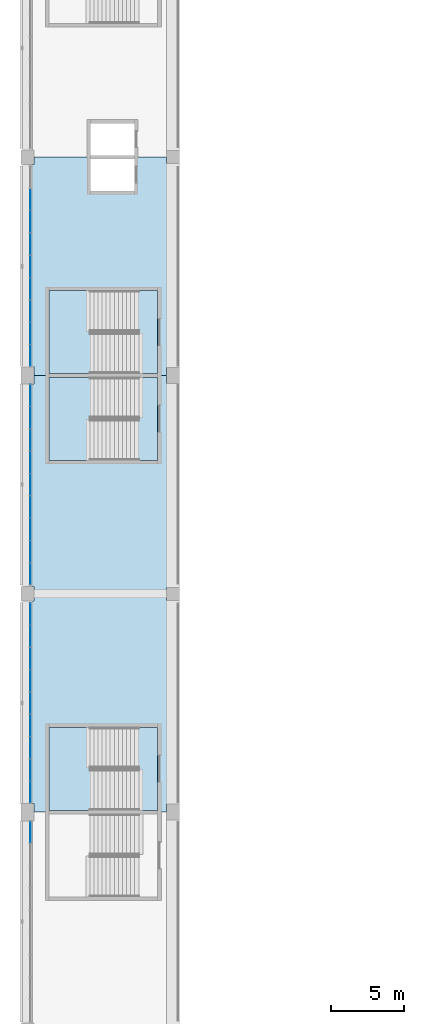
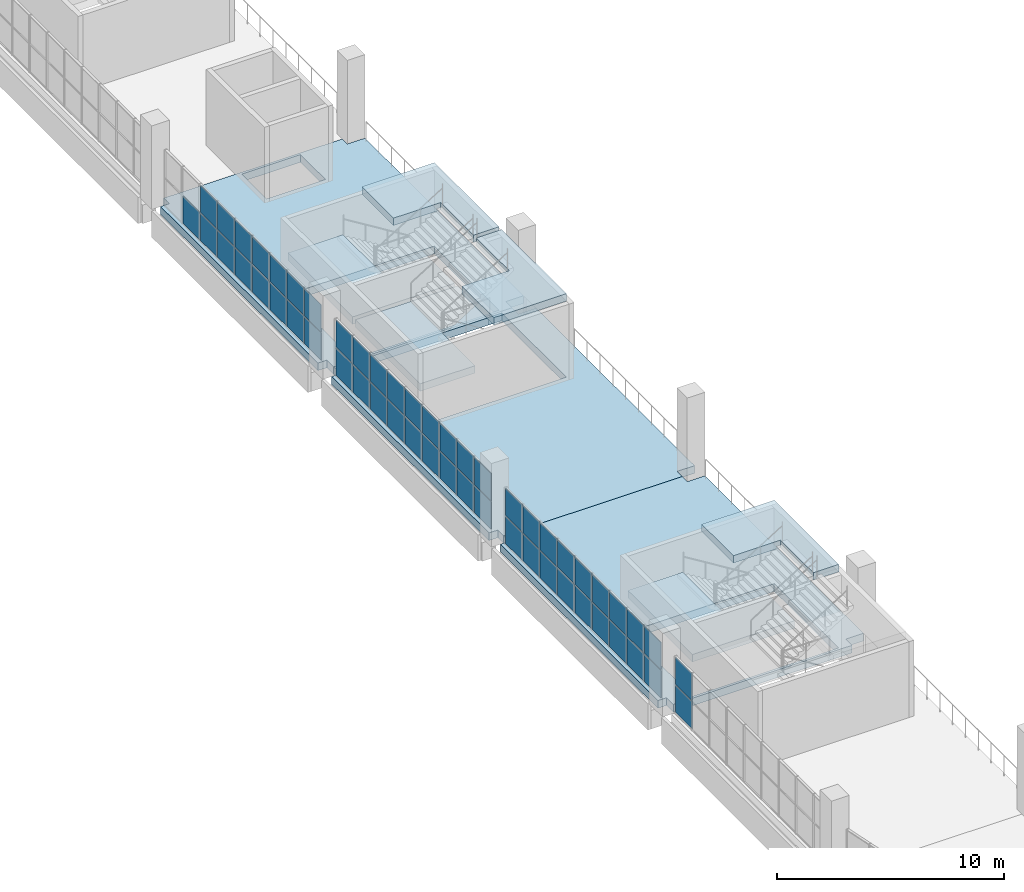
# One storey, part 47 of 177: 53 plates, 9 slabs, 7 elements without a shape of their own.
"""IFC4 building model written with IfcOpenShell, lengths in metres."""

from ifc_helpers import new_model, si_unit, direction, frame, origin, origin_2d, place, context, subcontext, project, spatial, polyline, rectangle, outline, extrude, material, layer, layer_set, type_object, element, aggregate, save


model = new_model("IFC4")

# Units and contexts
model_context = context("Model", 3, precision=1e-05, world=origin(), true_north=direction((0.0, 1.0)))
body_context = subcontext(model_context, "Body", "Model", "MODEL_VIEW")
ifc_project = project(units=[si_unit("LENGTHUNIT", "METRE"), si_unit("AREAUNIT", "SQUARE_METRE"), si_unit("VOLUMEUNIT", "CUBIC_METRE"), si_unit("PLANEANGLEUNIT", "RADIAN"), si_unit("MASSUNIT", "GRAM", prefix="KILO")], contexts=[model_context])

# Site, building, storey
site_placement = place(None, origin())
site = spatial("IfcSite", under=ifc_project, at=site_placement, CompositionType="ELEMENT")
building_placement = place(site_placement, origin())
building = spatial("IfcBuilding", under=site, at=building_placement, Name="Ogive Plaza Stadium", CompositionType="ELEMENT")
storey_placement = place(building_placement, frame((0.0, 0.0, 18.0)))
storey = spatial("IfcBuildingStorey", under=building, at=storey_placement, Name="L04", CompositionType="ELEMENT", Elevation=18.0)

# Curtain wall, plates
ifc_material_1 = material(Name="Bronze-anodised aluminium with laminated glass", Category="aluminium")
curtain_wall_type = type_object("IfcCurtainWallType", Name="Lancet curtain wall", PredefinedType="NOTDEFINED", material=ifc_material_1)
curtain_wall_1_placement = place(storey_placement, origin())
curtain_wall_1 = element("IfcCurtainWall", 1, at=curtain_wall_1_placement, inside=storey, type_object=curtain_wall_type, Name="CURTAIN WALL B21 L04", PredefinedType="NOTDEFINED")
ifc_material_2 = material(Name="Laminated glass", Category="glass")
ifc_layer_1 = layer(ifc_material_2, 0.028076171875)
ifc_layer_set_1 = layer_set([ifc_layer_1], Name="Laminated glass panel 28")
plate_type = type_object("IfcPlateType", Name="Laminated glass panel 28", PredefinedType="CURTAIN_PANEL", material=ifc_layer_set_1)
plate_1_placement = place(storey_placement, frame((-83.800048828125, -38.879150390625, 0.0498046875), z_axis=(0.0, 0.0, 1.0), x_axis=(0.0, 1.0, 0.0)))
plate_1 = element("IfcPlate", 2, at=plate_1_placement, type_object=plate_type, Name="CW-B21-L04 panel 9.1", PredefinedType="CURTAIN_PANEL", context=body_context, shape_type="SweptSolid", body=[
    extrude(rectangle(XDim=1.458251953125, YDim=0.028076171875, at=origin_2d()), origin(), (0.0, 0.0, 1.0), 1.469970703125),
])
plate_2_placement = place(storey_placement, frame((-83.800048828125, -38.879150390625, 1.56982421875), z_axis=(0.0, 0.0, 1.0), x_axis=(0.0, 1.0, 0.0)))
plate_2 = element("IfcPlate", 3, at=plate_2_placement, type_object=plate_type, Name="CW-B21-L04 panel 9.2", PredefinedType="CURTAIN_PANEL", context=body_context, shape_type="SweptSolid", body=[
    extrude(rectangle(XDim=1.458251953125, YDim=0.028076171875, at=origin_2d()), origin(), (0.0, 0.0, 1.0), 1.469970703125),
])
aggregate(curtain_wall_1, [plate_1, plate_2])

curtain_wall_2_placement = place(storey_placement, origin())
curtain_wall_2 = element("IfcCurtainWall", 4, at=curtain_wall_2_placement, inside=storey, type_object=curtain_wall_type, Name="CURTAIN WALL B22 L04", PredefinedType="NOTDEFINED")
plate_3_placement = place(storey_placement, frame((-83.800048828125, -36.120849609375, 0.0498046875), z_axis=(0.0, 0.0, 1.0), x_axis=(0.0, 1.0, 0.0)))
plate_3 = element("IfcPlate", 5, at=plate_3_placement, type_object=plate_type, Name="CW-B22-L04 panel 1.1", PredefinedType="CURTAIN_PANEL", context=body_context, shape_type="SweptSolid", body=[
    extrude(rectangle(XDim=1.458251953125, YDim=0.028076171875, at=origin_2d()), origin(), (0.0, 0.0, 1.0), 1.469970703125),
])
plate_4_placement = place(storey_placement, frame((-83.800048828125, -36.120849609375, 1.56982421875), z_axis=(0.0, 0.0, 1.0), x_axis=(0.0, 1.0, 0.0)))
plate_4 = element("IfcPlate", 6, at=plate_4_placement, type_object=plate_type, Name="CW-B22-L04 panel 1.2", PredefinedType="CURTAIN_PANEL", context=body_context, shape_type="SweptSolid", body=[
    extrude(rectangle(XDim=1.458251953125, YDim=0.028076171875, at=origin_2d()), origin(), (0.0, 0.0, 1.0), 1.469970703125),
])
plate_5_placement = place(storey_placement, frame((-83.800048828125, -34.60009765625, 0.0498046875), z_axis=(0.0, 0.0, 1.0), x_axis=(0.0, 1.0, 0.0)))
plate_5 = element("IfcPlate", 7, at=plate_5_placement, type_object=plate_type, Name="CW-B22-L04 panel 2.1", PredefinedType="CURTAIN_PANEL", context=body_context, shape_type="SweptSolid", body=[
    extrude(rectangle(XDim=1.4833984375, YDim=0.028076171875, at=origin_2d()), origin(), (0.0, 0.0, 1.0), 1.469970703125),
])
plate_6_placement = place(storey_placement, frame((-83.800048828125, -34.60009765625, 1.56982421875), z_axis=(0.0, 0.0, 1.0), x_axis=(0.0, 1.0, 0.0)))
plate_6 = element("IfcPlate", 8, at=plate_6_placement, type_object=plate_type, Name="CW-B22-L04 panel 2.2", PredefinedType="CURTAIN_PANEL", context=body_context, shape_type="SweptSolid", body=[
    extrude(rectangle(XDim=1.4833984375, YDim=0.028076171875, at=origin_2d()), origin(), (0.0, 0.0, 1.0), 1.469970703125),
])
plate_7_placement = place(storey_placement, frame((-83.800048828125, -33.066650390625, 0.0498046875), z_axis=(0.0, 0.0, 1.0), x_axis=(0.0, 1.0, 0.0)))
plate_7 = element("IfcPlate", 9, at=plate_7_placement, type_object=plate_type, Name="CW-B22-L04 panel 3.1", PredefinedType="CURTAIN_PANEL", context=body_context, shape_type="SweptSolid", body=[
    extrude(rectangle(XDim=1.4833984375, YDim=0.028076171875, at=origin_2d()), origin(), (0.0, 0.0, 1.0), 1.469970703125),
])
plate_8_placement = place(storey_placement, frame((-83.800048828125, -33.066650390625, 1.56982421875), z_axis=(0.0, 0.0, 1.0), x_axis=(0.0, 1.0, 0.0)))
plate_8 = element("IfcPlate", 10, at=plate_8_placement, type_object=plate_type, Name="CW-B22-L04 panel 3.2", PredefinedType="CURTAIN_PANEL", context=body_context, shape_type="SweptSolid", body=[
    extrude(rectangle(XDim=1.4833984375, YDim=0.028076171875, at=origin_2d()), origin(), (0.0, 0.0, 1.0), 1.469970703125),
])
plate_9_placement = place(storey_placement, frame((-83.800048828125, -31.533447265625, 0.0498046875), z_axis=(0.0, 0.0, 1.0), x_axis=(0.0, 1.0, 0.0)))
plate_9 = element("IfcPlate", 11, at=plate_9_placement, type_object=plate_type, Name="CW-B22-L04 panel 4.1", PredefinedType="CURTAIN_PANEL", context=body_context, shape_type="SweptSolid", body=[
    extrude(rectangle(XDim=1.4833984375, YDim=0.028076171875, at=origin_2d()), origin(), (0.0, 0.0, 1.0), 1.469970703125),
])
plate_10_placement = place(storey_placement, frame((-83.800048828125, -31.533447265625, 1.56982421875), z_axis=(0.0, 0.0, 1.0), x_axis=(0.0, 1.0, 0.0)))
plate_10 = element("IfcPlate", 12, at=plate_10_placement, type_object=plate_type, Name="CW-B22-L04 panel 4.2", PredefinedType="CURTAIN_PANEL", context=body_context, shape_type="SweptSolid", body=[
    extrude(rectangle(XDim=1.4833984375, YDim=0.028076171875, at=origin_2d()), origin(), (0.0, 0.0, 1.0), 1.469970703125),
])
plate_11_placement = place(storey_placement, frame((-83.800048828125, -30.0, 0.0498046875), z_axis=(0.0, 0.0, 1.0), x_axis=(0.0, 1.0, 0.0)))
plate_11 = element("IfcPlate", 13, at=plate_11_placement, type_object=plate_type, Name="CW-B22-L04 panel 5.1", PredefinedType="CURTAIN_PANEL", context=body_context, shape_type="SweptSolid", body=[
    extrude(rectangle(XDim=1.4833984375, YDim=0.028076171875, at=origin_2d()), origin(), (0.0, 0.0, 1.0), 1.469970703125),
])
plate_12_placement = place(storey_placement, frame((-83.800048828125, -30.0, 1.56982421875), z_axis=(0.0, 0.0, 1.0), x_axis=(0.0, 1.0, 0.0)))
plate_12 = element("IfcPlate", 14, at=plate_12_placement, type_object=plate_type, Name="CW-B22-L04 panel 5.2", PredefinedType="CURTAIN_PANEL", context=body_context, shape_type="SweptSolid", body=[
    extrude(rectangle(XDim=1.4833984375, YDim=0.028076171875, at=origin_2d()), origin(), (0.0, 0.0, 1.0), 1.469970703125),
])
plate_13_placement = place(storey_placement, frame((-83.800048828125, -28.466552734375, 0.0498046875), z_axis=(0.0, 0.0, 1.0), x_axis=(0.0, 1.0, 0.0)))
plate_13 = element("IfcPlate", 15, at=plate_13_placement, type_object=plate_type, Name="CW-B22-L04 panel 6.1", PredefinedType="CURTAIN_PANEL", context=body_context, shape_type="SweptSolid", body=[
    extrude(rectangle(XDim=1.4833984375, YDim=0.028076171875, at=origin_2d()), origin(), (0.0, 0.0, 1.0), 1.469970703125),
])
plate_14_placement = place(storey_placement, frame((-83.800048828125, -28.466552734375, 1.56982421875), z_axis=(0.0, 0.0, 1.0), x_axis=(0.0, 1.0, 0.0)))
plate_14 = element("IfcPlate", 16, at=plate_14_placement, type_object=plate_type, Name="CW-B22-L04 panel 6.2", PredefinedType="CURTAIN_PANEL", context=body_context, shape_type="SweptSolid", body=[
    extrude(rectangle(XDim=1.4833984375, YDim=0.028076171875, at=origin_2d()), origin(), (0.0, 0.0, 1.0), 1.469970703125),
])
plate_15_placement = place(storey_placement, frame((-83.800048828125, -26.933349609375, 0.0498046875), z_axis=(0.0, 0.0, 1.0), x_axis=(0.0, 1.0, 0.0)))
plate_15 = element("IfcPlate", 17, at=plate_15_placement, type_object=plate_type, Name="CW-B22-L04 panel 7.1", PredefinedType="CURTAIN_PANEL", context=body_context, shape_type="SweptSolid", body=[
    extrude(rectangle(XDim=1.4833984375, YDim=0.028076171875, at=origin_2d()), origin(), (0.0, 0.0, 1.0), 1.469970703125),
])
plate_16_placement = place(storey_placement, frame((-83.800048828125, -26.933349609375, 1.56982421875), z_axis=(0.0, 0.0, 1.0), x_axis=(0.0, 1.0, 0.0)))
plate_16 = element("IfcPlate", 18, at=plate_16_placement, type_object=plate_type, Name="CW-B22-L04 panel 7.2", PredefinedType="CURTAIN_PANEL", context=body_context, shape_type="SweptSolid", body=[
    extrude(rectangle(XDim=1.4833984375, YDim=0.028076171875, at=origin_2d()), origin(), (0.0, 0.0, 1.0), 1.469970703125),
])
plate_17_placement = place(storey_placement, frame((-83.800048828125, -25.39990234375, 0.0498046875), z_axis=(0.0, 0.0, 1.0), x_axis=(0.0, 1.0, 0.0)))
plate_17 = element("IfcPlate", 19, at=plate_17_placement, type_object=plate_type, Name="CW-B22-L04 panel 8.1", PredefinedType="CURTAIN_PANEL", context=body_context, shape_type="SweptSolid", body=[
    extrude(rectangle(XDim=1.4833984375, YDim=0.028076171875, at=origin_2d()), origin(), (0.0, 0.0, 1.0), 1.469970703125),
])
plate_18_placement = place(storey_placement, frame((-83.800048828125, -25.39990234375, 1.56982421875), z_axis=(0.0, 0.0, 1.0), x_axis=(0.0, 1.0, 0.0)))
plate_18 = element("IfcPlate", 20, at=plate_18_placement, type_object=plate_type, Name="CW-B22-L04 panel 8.2", PredefinedType="CURTAIN_PANEL", context=body_context, shape_type="SweptSolid", body=[
    extrude(rectangle(XDim=1.4833984375, YDim=0.028076171875, at=origin_2d()), origin(), (0.0, 0.0, 1.0), 1.469970703125),
])
plate_19_placement = place(storey_placement, frame((-83.800048828125, -23.879150390625, 0.0498046875), z_axis=(0.0, 0.0, 1.0), x_axis=(0.0, 1.0, 0.0)))
plate_19 = element("IfcPlate", 21, at=plate_19_placement, type_object=plate_type, Name="CW-B22-L04 panel 9.1", PredefinedType="CURTAIN_PANEL", context=body_context, shape_type="SweptSolid", body=[
    extrude(rectangle(XDim=1.458251953125, YDim=0.028076171875, at=origin_2d()), origin(), (0.0, 0.0, 1.0), 1.469970703125),
])
plate_20_placement = place(storey_placement, frame((-83.800048828125, -23.879150390625, 1.56982421875), z_axis=(0.0, 0.0, 1.0), x_axis=(0.0, 1.0, 0.0)))
plate_20 = element("IfcPlate", 22, at=plate_20_placement, type_object=plate_type, Name="CW-B22-L04 panel 9.2", PredefinedType="CURTAIN_PANEL", context=body_context, shape_type="SweptSolid", body=[
    extrude(rectangle(XDim=1.458251953125, YDim=0.028076171875, at=origin_2d()), origin(), (0.0, 0.0, 1.0), 1.469970703125),
])
aggregate(curtain_wall_2, [plate_3, plate_4, plate_5, plate_6, plate_7, plate_8, plate_9, plate_10, plate_11, plate_12, plate_13, plate_14, plate_15, plate_16, plate_17, plate_18, plate_19, plate_20])

curtain_wall_3_placement = place(storey_placement, origin())
curtain_wall_3 = element("IfcCurtainWall", 23, at=curtain_wall_3_placement, inside=storey, type_object=curtain_wall_type, Name="CURTAIN WALL B23 L04", PredefinedType="NOTDEFINED")
plate_21_placement = place(storey_placement, frame((-83.800048828125, -21.120849609375, 0.0498046875), z_axis=(0.0, 0.0, 1.0), x_axis=(0.0, 1.0, 0.0)))
plate_21 = element("IfcPlate", 24, at=plate_21_placement, type_object=plate_type, Name="CW-B23-L04 panel 1.1", PredefinedType="CURTAIN_PANEL", context=body_context, shape_type="SweptSolid", body=[
    extrude(rectangle(XDim=1.458251953125, YDim=0.028076171875, at=origin_2d()), origin(), (0.0, 0.0, 1.0), 1.469970703125),
])
plate_22_placement = place(storey_placement, frame((-83.800048828125, -21.120849609375, 1.56982421875), z_axis=(0.0, 0.0, 1.0), x_axis=(0.0, 1.0, 0.0)))
plate_22 = element("IfcPlate", 25, at=plate_22_placement, type_object=plate_type, Name="CW-B23-L04 panel 1.2", PredefinedType="CURTAIN_PANEL", context=body_context, shape_type="SweptSolid", body=[
    extrude(rectangle(XDim=1.458251953125, YDim=0.028076171875, at=origin_2d()), origin(), (0.0, 0.0, 1.0), 1.469970703125),
])
plate_23_placement = place(storey_placement, frame((-83.800048828125, -19.60009765625, 0.0498046875), z_axis=(0.0, 0.0, 1.0), x_axis=(0.0, 1.0, 0.0)))
plate_23 = element("IfcPlate", 26, at=plate_23_placement, type_object=plate_type, Name="CW-B23-L04 panel 2.1", PredefinedType="CURTAIN_PANEL", context=body_context, shape_type="SweptSolid", body=[
    extrude(rectangle(XDim=1.4833984375, YDim=0.028076171875, at=origin_2d()), origin(), (0.0, 0.0, 1.0), 1.469970703125),
])
plate_24_placement = place(storey_placement, frame((-83.800048828125, -19.60009765625, 1.56982421875), z_axis=(0.0, 0.0, 1.0), x_axis=(0.0, 1.0, 0.0)))
plate_24 = element("IfcPlate", 27, at=plate_24_placement, type_object=plate_type, Name="CW-B23-L04 panel 2.2", PredefinedType="CURTAIN_PANEL", context=body_context, shape_type="SweptSolid", body=[
    extrude(rectangle(XDim=1.4833984375, YDim=0.028076171875, at=origin_2d()), origin(), (0.0, 0.0, 1.0), 1.469970703125),
])
plate_25_placement = place(storey_placement, frame((-83.800048828125, -18.066650390625, 0.0498046875), z_axis=(0.0, 0.0, 1.0), x_axis=(0.0, 1.0, 0.0)))
plate_25 = element("IfcPlate", 28, at=plate_25_placement, type_object=plate_type, Name="CW-B23-L04 panel 3.1", PredefinedType="CURTAIN_PANEL", context=body_context, shape_type="SweptSolid", body=[
    extrude(rectangle(XDim=1.4833984375, YDim=0.028076171875, at=origin_2d()), origin(), (0.0, 0.0, 1.0), 1.469970703125),
])
plate_26_placement = place(storey_placement, frame((-83.800048828125, -18.066650390625, 1.56982421875), z_axis=(0.0, 0.0, 1.0), x_axis=(0.0, 1.0, 0.0)))
plate_26 = element("IfcPlate", 29, at=plate_26_placement, type_object=plate_type, Name="CW-B23-L04 panel 3.2", PredefinedType="CURTAIN_PANEL", context=body_context, shape_type="SweptSolid", body=[
    extrude(rectangle(XDim=1.4833984375, YDim=0.028076171875, at=origin_2d()), origin(), (0.0, 0.0, 1.0), 1.469970703125),
])
plate_27_placement = place(storey_placement, frame((-83.800048828125, -16.533447265625, 0.0498046875), z_axis=(0.0, 0.0, 1.0), x_axis=(0.0, 1.0, 0.0)))
plate_27 = element("IfcPlate", 30, at=plate_27_placement, type_object=plate_type, Name="CW-B23-L04 panel 4.1", PredefinedType="CURTAIN_PANEL", context=body_context, shape_type="SweptSolid", body=[
    extrude(rectangle(XDim=1.4833984375, YDim=0.028076171875, at=origin_2d()), origin(), (0.0, 0.0, 1.0), 1.469970703125),
])
plate_28_placement = place(storey_placement, frame((-83.800048828125, -16.533447265625, 1.56982421875), z_axis=(0.0, 0.0, 1.0), x_axis=(0.0, 1.0, 0.0)))
plate_28 = element("IfcPlate", 31, at=plate_28_placement, type_object=plate_type, Name="CW-B23-L04 panel 4.2", PredefinedType="CURTAIN_PANEL", context=body_context, shape_type="SweptSolid", body=[
    extrude(rectangle(XDim=1.4833984375, YDim=0.028076171875, at=origin_2d()), origin(), (0.0, 0.0, 1.0), 1.469970703125),
])
plate_29_placement = place(storey_placement, frame((-83.800048828125, -15.0, 0.0498046875), z_axis=(0.0, 0.0, 1.0), x_axis=(0.0, 1.0, 0.0)))
plate_29 = element("IfcPlate", 32, at=plate_29_placement, type_object=plate_type, Name="CW-B23-L04 panel 5.1", PredefinedType="CURTAIN_PANEL", context=body_context, shape_type="SweptSolid", body=[
    extrude(rectangle(XDim=1.4833984375, YDim=0.028076171875, at=origin_2d()), origin(), (0.0, 0.0, 1.0), 1.469970703125),
])
plate_30_placement = place(storey_placement, frame((-83.800048828125, -15.0, 1.56982421875), z_axis=(0.0, 0.0, 1.0), x_axis=(0.0, 1.0, 0.0)))
plate_30 = element("IfcPlate", 33, at=plate_30_placement, type_object=plate_type, Name="CW-B23-L04 panel 5.2", PredefinedType="CURTAIN_PANEL", context=body_context, shape_type="SweptSolid", body=[
    extrude(rectangle(XDim=1.4833984375, YDim=0.028076171875, at=origin_2d()), origin(), (0.0, 0.0, 1.0), 1.469970703125),
])
plate_31_placement = place(storey_placement, frame((-83.800048828125, -13.466552734375, 0.0498046875), z_axis=(0.0, 0.0, 1.0), x_axis=(0.0, 1.0, 0.0)))
plate_31 = element("IfcPlate", 34, at=plate_31_placement, type_object=plate_type, Name="CW-B23-L04 panel 6.1", PredefinedType="CURTAIN_PANEL", context=body_context, shape_type="SweptSolid", body=[
    extrude(rectangle(XDim=1.4833984375, YDim=0.028076171875, at=origin_2d()), origin(), (0.0, 0.0, 1.0), 1.469970703125),
])
plate_32_placement = place(storey_placement, frame((-83.800048828125, -13.466552734375, 1.56982421875), z_axis=(0.0, 0.0, 1.0), x_axis=(0.0, 1.0, 0.0)))
plate_32 = element("IfcPlate", 35, at=plate_32_placement, type_object=plate_type, Name="CW-B23-L04 panel 6.2", PredefinedType="CURTAIN_PANEL", context=body_context, shape_type="SweptSolid", body=[
    extrude(rectangle(XDim=1.4833984375, YDim=0.028076171875, at=origin_2d()), origin(), (0.0, 0.0, 1.0), 1.469970703125),
])
plate_33_placement = place(storey_placement, frame((-83.800048828125, -11.933349609375, 0.0498046875), z_axis=(0.0, 0.0, 1.0), x_axis=(0.0, 1.0, 0.0)))
plate_33 = element("IfcPlate", 36, at=plate_33_placement, type_object=plate_type, Name="CW-B23-L04 panel 7.1", PredefinedType="CURTAIN_PANEL", context=body_context, shape_type="SweptSolid", body=[
    extrude(rectangle(XDim=1.4833984375, YDim=0.028076171875, at=origin_2d()), origin(), (0.0, 0.0, 1.0), 1.469970703125),
])
plate_34_placement = place(storey_placement, frame((-83.800048828125, -11.933349609375, 1.56982421875), z_axis=(0.0, 0.0, 1.0), x_axis=(0.0, 1.0, 0.0)))
plate_34 = element("IfcPlate", 37, at=plate_34_placement, type_object=plate_type, Name="CW-B23-L04 panel 7.2", PredefinedType="CURTAIN_PANEL", context=body_context, shape_type="SweptSolid", body=[
    extrude(rectangle(XDim=1.4833984375, YDim=0.028076171875, at=origin_2d()), origin(), (0.0, 0.0, 1.0), 1.469970703125),
])
plate_35_placement = place(storey_placement, frame((-83.800048828125, -10.39990234375, 0.0498046875), z_axis=(0.0, 0.0, 1.0), x_axis=(0.0, 1.0, 0.0)))
plate_35 = element("IfcPlate", 38, at=plate_35_placement, type_object=plate_type, Name="CW-B23-L04 panel 8.1", PredefinedType="CURTAIN_PANEL", context=body_context, shape_type="SweptSolid", body=[
    extrude(rectangle(XDim=1.4833984375, YDim=0.028076171875, at=origin_2d()), origin(), (0.0, 0.0, 1.0), 1.469970703125),
])
plate_36_placement = place(storey_placement, frame((-83.800048828125, -10.39990234375, 1.56982421875), z_axis=(0.0, 0.0, 1.0), x_axis=(0.0, 1.0, 0.0)))
plate_36 = element("IfcPlate", 39, at=plate_36_placement, type_object=plate_type, Name="CW-B23-L04 panel 8.2", PredefinedType="CURTAIN_PANEL", context=body_context, shape_type="SweptSolid", body=[
    extrude(rectangle(XDim=1.4833984375, YDim=0.028076171875, at=origin_2d()), origin(), (0.0, 0.0, 1.0), 1.469970703125),
])
plate_37_placement = place(storey_placement, frame((-83.800048828125, -8.879150390625, 0.0498046875), z_axis=(0.0, 0.0, 1.0), x_axis=(0.0, 1.0, 0.0)))
plate_37 = element("IfcPlate", 40, at=plate_37_placement, type_object=plate_type, Name="CW-B23-L04 panel 9.1", PredefinedType="CURTAIN_PANEL", context=body_context, shape_type="SweptSolid", body=[
    extrude(rectangle(XDim=1.458251953125, YDim=0.028076171875, at=origin_2d()), origin(), (0.0, 0.0, 1.0), 1.469970703125),
])
plate_38_placement = place(storey_placement, frame((-83.800048828125, -8.879150390625, 1.56982421875), z_axis=(0.0, 0.0, 1.0), x_axis=(0.0, 1.0, 0.0)))
plate_38 = element("IfcPlate", 41, at=plate_38_placement, type_object=plate_type, Name="CW-B23-L04 panel 9.2", PredefinedType="CURTAIN_PANEL", context=body_context, shape_type="SweptSolid", body=[
    extrude(rectangle(XDim=1.458251953125, YDim=0.028076171875, at=origin_2d()), origin(), (0.0, 0.0, 1.0), 1.469970703125),
])
aggregate(curtain_wall_3, [plate_21, plate_22, plate_23, plate_24, plate_25, plate_26, plate_27, plate_28, plate_29, plate_30, plate_31, plate_32, plate_33, plate_34, plate_35, plate_36, plate_37, plate_38])

curtain_wall_4_placement = place(storey_placement, origin())
curtain_wall_4 = element("IfcCurtainWall", 42, at=curtain_wall_4_placement, inside=storey, type_object=curtain_wall_type, Name="CURTAIN WALL B24 L04", PredefinedType="NOTDEFINED")
plate_39_placement = place(storey_placement, frame((-83.800048828125, -6.120849609375, 0.0498046875), z_axis=(0.0, 0.0, 1.0), x_axis=(0.0, 1.0, 0.0)))
plate_39 = element("IfcPlate", 43, at=plate_39_placement, type_object=plate_type, Name="CW-B24-L04 panel 1.1", PredefinedType="CURTAIN_PANEL", context=body_context, shape_type="SweptSolid", body=[
    extrude(rectangle(XDim=1.458251953125, YDim=0.028076171875, at=origin_2d()), origin(), (0.0, 0.0, 1.0), 1.469970703125),
])
plate_40_placement = place(storey_placement, frame((-83.800048828125, -6.120849609375, 1.56982421875), z_axis=(0.0, 0.0, 1.0), x_axis=(0.0, 1.0, 0.0)))
plate_40 = element("IfcPlate", 44, at=plate_40_placement, type_object=plate_type, Name="CW-B24-L04 panel 1.2", PredefinedType="CURTAIN_PANEL", context=body_context, shape_type="SweptSolid", body=[
    extrude(rectangle(XDim=1.458251953125, YDim=0.028076171875, at=origin_2d()), origin(), (0.0, 0.0, 1.0), 1.469970703125),
])
plate_41_placement = place(storey_placement, frame((-83.800048828125, -4.60009765625, 0.0498046875), z_axis=(0.0, 0.0, 1.0), x_axis=(0.0, 1.0, 0.0)))
plate_41 = element("IfcPlate", 45, at=plate_41_placement, type_object=plate_type, Name="CW-B24-L04 panel 2.1", PredefinedType="CURTAIN_PANEL", context=body_context, shape_type="SweptSolid", body=[
    extrude(rectangle(XDim=1.4833984375, YDim=0.028076171875, at=origin_2d()), origin(), (0.0, 0.0, 1.0), 1.469970703125),
])
plate_42_placement = place(storey_placement, frame((-83.800048828125, -4.60009765625, 1.56982421875), z_axis=(0.0, 0.0, 1.0), x_axis=(0.0, 1.0, 0.0)))
plate_42 = element("IfcPlate", 46, at=plate_42_placement, type_object=plate_type, Name="CW-B24-L04 panel 2.2", PredefinedType="CURTAIN_PANEL", context=body_context, shape_type="SweptSolid", body=[
    extrude(rectangle(XDim=1.4833984375, YDim=0.028076171875, at=origin_2d()), origin(), (0.0, 0.0, 1.0), 1.469970703125),
])
plate_43_placement = place(storey_placement, frame((-83.800048828125, -3.066650390625, 0.0498046875), z_axis=(0.0, 0.0, 1.0), x_axis=(0.0, 1.0, 0.0)))
plate_43 = element("IfcPlate", 47, at=plate_43_placement, type_object=plate_type, Name="CW-B24-L04 panel 3.1", PredefinedType="CURTAIN_PANEL", context=body_context, shape_type="SweptSolid", body=[
    extrude(rectangle(XDim=1.4833984375, YDim=0.028076171875, at=origin_2d()), origin(), (0.0, 0.0, 1.0), 1.469970703125),
])
plate_44_placement = place(storey_placement, frame((-83.800048828125, -3.066650390625, 1.56982421875), z_axis=(0.0, 0.0, 1.0), x_axis=(0.0, 1.0, 0.0)))
plate_44 = element("IfcPlate", 48, at=plate_44_placement, type_object=plate_type, Name="CW-B24-L04 panel 3.2", PredefinedType="CURTAIN_PANEL", context=body_context, shape_type="SweptSolid", body=[
    extrude(rectangle(XDim=1.4833984375, YDim=0.028076171875, at=origin_2d()), origin(), (0.0, 0.0, 1.0), 1.469970703125),
])
plate_45_placement = place(storey_placement, frame((-83.800048828125, -1.533447265625, 0.0498046875), z_axis=(0.0, 0.0, 1.0), x_axis=(0.0, 1.0, 0.0)))
plate_45 = element("IfcPlate", 49, at=plate_45_placement, type_object=plate_type, Name="CW-B24-L04 panel 4.1", PredefinedType="CURTAIN_PANEL", context=body_context, shape_type="SweptSolid", body=[
    extrude(rectangle(XDim=1.4833984375, YDim=0.028076171875, at=origin_2d()), origin(), (0.0, 0.0, 1.0), 1.469970703125),
])
plate_46_placement = place(storey_placement, frame((-83.800048828125, -1.533447265625, 1.56982421875), z_axis=(0.0, 0.0, 1.0), x_axis=(0.0, 1.0, 0.0)))
plate_46 = element("IfcPlate", 50, at=plate_46_placement, type_object=plate_type, Name="CW-B24-L04 panel 4.2", PredefinedType="CURTAIN_PANEL", context=body_context, shape_type="SweptSolid", body=[
    extrude(rectangle(XDim=1.4833984375, YDim=0.028076171875, at=origin_2d()), origin(), (0.0, 0.0, 1.0), 1.469970703125),
])
plate_47_placement = place(storey_placement, frame((-83.800048828125, 0.0, 0.0498046875), z_axis=(0.0, 0.0, 1.0), x_axis=(0.0, 1.0, 0.0)))
plate_47 = element("IfcPlate", 51, at=plate_47_placement, type_object=plate_type, Name="CW-B24-L04 panel 5.1", PredefinedType="CURTAIN_PANEL", context=body_context, shape_type="SweptSolid", body=[
    extrude(rectangle(XDim=1.4833984375, YDim=0.028076171875, at=origin_2d()), origin(), (0.0, 0.0, 1.0), 1.469970703125),
])
plate_48_placement = place(storey_placement, frame((-83.800048828125, 0.0, 1.56982421875), z_axis=(0.0, 0.0, 1.0), x_axis=(0.0, 1.0, 0.0)))
plate_48 = element("IfcPlate", 52, at=plate_48_placement, type_object=plate_type, Name="CW-B24-L04 panel 5.2", PredefinedType="CURTAIN_PANEL", context=body_context, shape_type="SweptSolid", body=[
    extrude(rectangle(XDim=1.4833984375, YDim=0.028076171875, at=origin_2d()), origin(), (0.0, 0.0, 1.0), 1.469970703125),
])
plate_49_placement = place(storey_placement, frame((-83.800048828125, 1.533447265625, 0.0498046875), z_axis=(0.0, 0.0, 1.0), x_axis=(0.0, 1.0, 0.0)))
plate_49 = element("IfcPlate", 53, at=plate_49_placement, type_object=plate_type, Name="CW-B24-L04 panel 6.1", PredefinedType="CURTAIN_PANEL", context=body_context, shape_type="SweptSolid", body=[
    extrude(rectangle(XDim=1.4833984375, YDim=0.028076171875, at=origin_2d()), origin(), (0.0, 0.0, 1.0), 1.469970703125),
])
plate_50_placement = place(storey_placement, frame((-83.800048828125, 1.533447265625, 1.56982421875), z_axis=(0.0, 0.0, 1.0), x_axis=(0.0, 1.0, 0.0)))
plate_50 = element("IfcPlate", 54, at=plate_50_placement, type_object=plate_type, Name="CW-B24-L04 panel 6.2", PredefinedType="CURTAIN_PANEL", context=body_context, shape_type="SweptSolid", body=[
    extrude(rectangle(XDim=1.4833984375, YDim=0.028076171875, at=origin_2d()), origin(), (0.0, 0.0, 1.0), 1.469970703125),
])
plate_51_placement = place(storey_placement, frame((-83.800048828125, 3.066650390625, 0.0498046875), z_axis=(0.0, 0.0, 1.0), x_axis=(0.0, 1.0, 0.0)))
plate_51 = element("IfcPlate", 55, at=plate_51_placement, type_object=plate_type, Name="CW-B24-L04 panel 7.1", PredefinedType="CURTAIN_PANEL", context=body_context, shape_type="SweptSolid", body=[
    extrude(rectangle(XDim=1.4833984375, YDim=0.028076171875, at=origin_2d()), origin(), (0.0, 0.0, 1.0), 1.469970703125),
])
plate_52_placement = place(storey_placement, frame((-83.800048828125, 3.066650390625, 1.56982421875), z_axis=(0.0, 0.0, 1.0), x_axis=(0.0, 1.0, 0.0)))
plate_52 = element("IfcPlate", 56, at=plate_52_placement, type_object=plate_type, Name="CW-B24-L04 panel 7.2", PredefinedType="CURTAIN_PANEL", context=body_context, shape_type="SweptSolid", body=[
    extrude(rectangle(XDim=1.4833984375, YDim=0.028076171875, at=origin_2d()), origin(), (0.0, 0.0, 1.0), 1.469970703125),
])
plate_53_placement = place(storey_placement, frame((-83.800048828125, 4.60009765625, 0.0498046875), z_axis=(0.0, 0.0, 1.0), x_axis=(0.0, 1.0, 0.0)))
plate_53 = element("IfcPlate", 57, at=plate_53_placement, type_object=plate_type, Name="CW-B24-L04 panel 8.1", PredefinedType="CURTAIN_PANEL", context=body_context, shape_type="SweptSolid", body=[
    extrude(rectangle(XDim=1.4833984375, YDim=0.028076171875, at=origin_2d()), origin(), (0.0, 0.0, 1.0), 1.469970703125),
])
aggregate(curtain_wall_4, [plate_39, plate_40, plate_41, plate_42, plate_43, plate_44, plate_45, plate_46, plate_47, plate_48, plate_49, plate_50, plate_51, plate_52, plate_53])

# Slabs
ifc_material_3 = material(Name="Concrete C40/50", Category="concrete")
ifc_layer_2 = layer(ifc_material_3, 0.409912109375)
ifc_layer_set_2 = layer_set([ifc_layer_2], Name="Concrete C40/50")
slab_type_1 = type_object("IfcSlabType", Name="RC floor slab 410", PredefinedType="FLOOR", material=ifc_layer_set_2)
slab_1_placement = place(storey_placement, frame((0.0, 0.0, -0.409912109375)))
element("IfcSlab", 58, at=slab_1_placement, inside=storey, type_object=slab_type_1, Name="Floor slab L04 B22", PredefinedType="FLOOR", context=body_context, shape_type="SweptSolid", body=[
    extrude(outline(polyline([(-83.550048828125, -22.5), (-83.550048828125, -23.0), (-84.0, -23.0), (-84.0, -36.89990234375), (-83.550048828125, -36.89990234375), (-83.550048828125, -37.5), (-74.449951171875, -37.5), (-74.449951171875, -36.949951171875), (-73.550048828125, -36.949951171875), (-73.550048828125, -22.949951171875), (-74.449951171875, -22.949951171875), (-74.449951171875, -22.5), (-83.550048828125, -22.5)]), holes=[polyline([(-75.050048828125, -31.675048828125), (-82.510009765625, -31.675048828125), (-82.510009765625, -37.375), (-75.050048828125, -37.375), (-75.050048828125, -31.675048828125)])]), origin(), (0.0, 0.0, 1.0), 0.409912109375),
])
slab_2_placement = place(storey_placement, frame((0.0, 0.0, -0.409912109375)))
element("IfcSlab", 59, at=slab_2_placement, inside=storey, type_object=slab_type_1, Name="Floor slab L04 B23", PredefinedType="FLOOR", context=body_context, shape_type="SweptSolid", body=[
    extrude(outline(polyline([(-83.550048828125, -7.5), (-83.550048828125, -8.10009765625), (-84.0, -8.10009765625), (-84.0, -22.0), (-83.550048828125, -22.0), (-83.550048828125, -22.5), (-74.449951171875, -22.5), (-74.449951171875, -22.050048828125), (-73.550048828125, -22.050048828125), (-73.550048828125, -8.050048828125), (-74.449951171875, -8.050048828125), (-74.449951171875, -7.5), (-83.550048828125, -7.5)]), holes=[polyline([(-75.050048828125, -13.324951171875), (-75.050048828125, -7.625), (-82.510009765625, -7.625), (-82.510009765625, -13.324951171875), (-75.050048828125, -13.324951171875)])]), origin(), (0.0, 0.0, 1.0), 0.409912109375),
])
slab_3_placement = place(storey_placement, frame((0.0, 0.0, -0.409912109375)))
element("IfcSlab", 60, at=slab_3_placement, inside=storey, type_object=slab_type_1, Name="Floor slab L04 B24", PredefinedType="FLOOR", context=body_context, shape_type="SweptSolid", body=[
    extrude(outline(polyline([(-83.550048828125, 7.5), (-83.550048828125, 7.0), (-84.0, 7.0), (-84.0, -6.89990234375), (-83.550048828125, -6.89990234375), (-83.550048828125, -7.5), (-74.449951171875, -7.5), (-74.449951171875, -6.949951171875), (-73.550048828125, -6.949951171875), (-73.550048828125, 7.050048828125), (-74.449951171875, 7.050048828125), (-74.449951171875, 7.5), (-83.550048828125, 7.5)]), holes=[polyline([(-75.050048828125, -7.375), (-75.050048828125, -1.675048828125), (-82.510009765625, -1.675048828125), (-82.510009765625, -7.375), (-75.050048828125, -7.375)]), polyline([(-76.64990234375, 5.175048828125), (-76.64990234375, 7.375), (-79.64990234375, 7.375), (-79.64990234375, 5.175048828125), (-76.64990234375, 5.175048828125)])]), origin(), (0.0, 0.0, 1.0), 0.409912109375),
])

# Stair, slabs
ifc_material_4 = material(Name="Concrete C40/50", Category="concrete")
stair_type = type_object("IfcStairType", Name="Exit stair", PredefinedType="STRAIGHT_RUN_STAIR", material=ifc_material_4)
stair_1_placement = place(storey_placement, origin())
stair_1 = element("IfcStair", 61, at=stair_1_placement, inside=storey, type_object=stair_type, Name="Exit stair ST22A L04 to L05", PredefinedType="STRAIGHT_RUN_STAIR")
ifc_material_5 = material(Name="Concrete C40/50", Category="concrete")
ifc_layer_3 = layer(ifc_material_5, 0.39990234375)
ifc_layer_set_3 = layer_set([ifc_layer_3], Name="Concrete C40/50")
slab_type_2 = type_object("IfcSlabType", Name="Stair landing", PredefinedType="LANDING", material=ifc_layer_set_3)
slab_4_placement = place(storey_placement, frame((0.0, 0.0, 1.85009765625)))
slab_4 = element("IfcSlab", 62, at=slab_4_placement, type_object=slab_type_2, Name="ST22A landing 1", PredefinedType="LANDING", context=body_context, shape_type="SweptSolid", body=[
    extrude(outline(polyline([(-82.510009765625, -37.375), (-82.510009765625, -31.675048828125), (-79.7099609375, -31.675048828125), (-79.7099609375, -34.574951171875), (-77.31005859375, -34.574951171875), (-77.31005859375, -37.375), (-79.7099609375, -37.375), (-82.510009765625, -37.375)])), origin(), (0.0, 0.0, 1.0), 0.39990234375),
])
slab_5_placement = place(storey_placement, frame((0.0, 0.0, 4.10009765625)))
slab_5 = element("IfcSlab", 63, at=slab_5_placement, type_object=slab_type_2, Name="ST22A landing 2", PredefinedType="LANDING", context=body_context, shape_type="SweptSolid", body=[
    extrude(outline(polyline([(-78.75, -34.47509765625), (-78.75, -31.675048828125), (-76.35009765625, -31.675048828125), (-75.050048828125, -31.675048828125), (-75.050048828125, -37.375), (-76.35009765625, -37.375), (-76.35009765625, -34.47509765625), (-78.75, -34.47509765625)])), origin(), (0.0, 0.0, 1.0), 0.39990234375),
])
aggregate(stair_1, [slab_4, slab_5])

stair_2_placement = place(storey_placement, origin())
stair_2 = element("IfcStair", 64, at=stair_2_placement, inside=storey, type_object=stair_type, Name="Exit stair ST24A L04 to L05", PredefinedType="STRAIGHT_RUN_STAIR")
slab_6_placement = place(storey_placement, frame((0.0, 0.0, 1.85009765625)))
slab_6 = element("IfcSlab", 65, at=slab_6_placement, type_object=slab_type_2, Name="ST24A landing 1", PredefinedType="LANDING", context=body_context, shape_type="SweptSolid", body=[
    extrude(outline(polyline([(-82.510009765625, -7.375), (-82.510009765625, -1.675048828125), (-79.7099609375, -1.675048828125), (-79.7099609375, -4.574951171875), (-77.31005859375, -4.574951171875), (-77.31005859375, -7.375), (-79.7099609375, -7.375), (-82.510009765625, -7.375)])), origin(), (0.0, 0.0, 1.0), 0.39990234375),
])
slab_7_placement = place(storey_placement, frame((0.0, 0.0, 4.10009765625)))
slab_7 = element("IfcSlab", 66, at=slab_7_placement, type_object=slab_type_2, Name="ST24A landing 2", PredefinedType="LANDING", context=body_context, shape_type="SweptSolid", body=[
    extrude(outline(polyline([(-78.75, -4.47509765625), (-78.75, -1.675048828125), (-76.35009765625, -1.675048828125), (-75.050048828125, -1.675048828125), (-75.050048828125, -7.375), (-76.35009765625, -7.375), (-76.35009765625, -4.47509765625), (-78.75, -4.47509765625)])), origin(), (0.0, 0.0, 1.0), 0.39990234375),
])
aggregate(stair_2, [slab_6, slab_7])

stair_3_placement = place(storey_placement, origin())
stair_3 = element("IfcStair", 67, at=stair_3_placement, inside=storey, type_object=stair_type, Name="Exit stair ST24B L04 to L05", PredefinedType="STRAIGHT_RUN_STAIR")
slab_8_placement = place(storey_placement, frame((0.0, 0.0, 1.85009765625)))
slab_8 = element("IfcSlab", 68, at=slab_8_placement, type_object=slab_type_2, Name="ST24B landing 1", PredefinedType="LANDING", context=body_context, shape_type="SweptSolid", body=[
    extrude(outline(polyline([(-77.31005859375, -7.625), (-77.31005859375, -10.425048828125), (-79.7099609375, -10.425048828125), (-79.7099609375, -13.324951171875), (-82.510009765625, -13.324951171875), (-82.510009765625, -7.625), (-79.7099609375, -7.625), (-77.31005859375, -7.625)])), origin(), (0.0, 0.0, 1.0), 0.39990234375),
])
slab_9_placement = place(storey_placement, frame((0.0, 0.0, 4.10009765625)))
slab_9 = element("IfcSlab", 69, at=slab_9_placement, type_object=slab_type_2, Name="ST24B landing 2", PredefinedType="LANDING", context=body_context, shape_type="SweptSolid", body=[
    extrude(outline(polyline([(-76.35009765625, -7.625), (-75.050048828125, -7.625), (-75.050048828125, -13.324951171875), (-76.35009765625, -13.324951171875), (-78.75, -13.324951171875), (-78.75, -10.52490234375), (-76.35009765625, -10.52490234375), (-76.35009765625, -7.625)])), origin(), (0.0, 0.0, 1.0), 0.39990234375),
])
aggregate(stair_3, [slab_8, slab_9])

save(model, "model.ifc")
